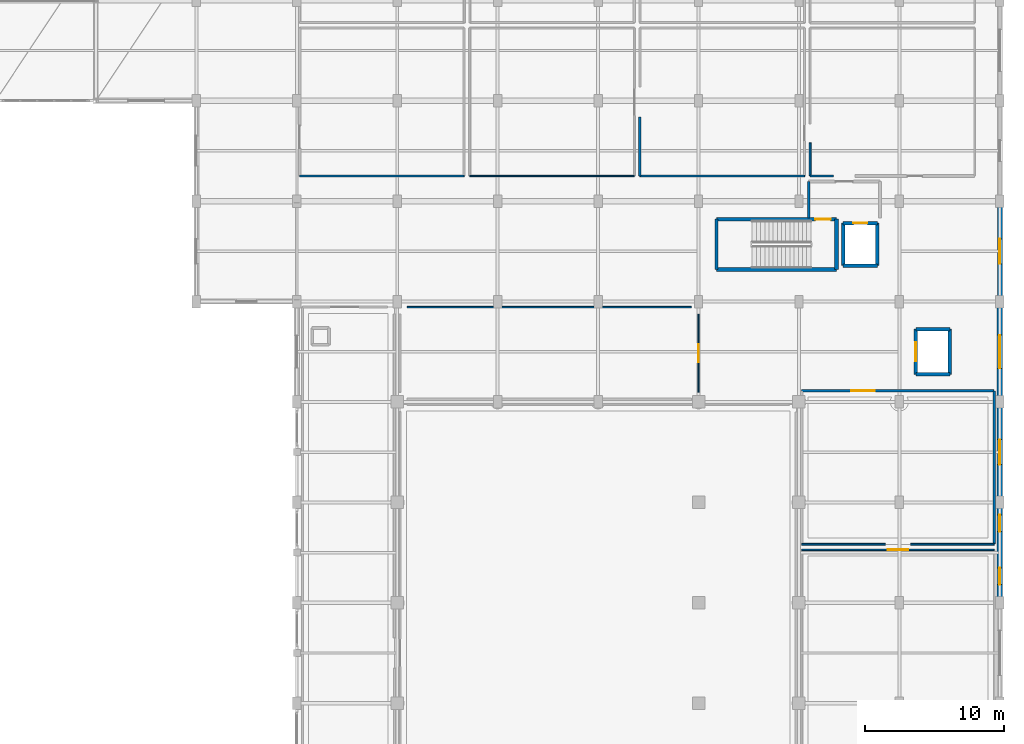
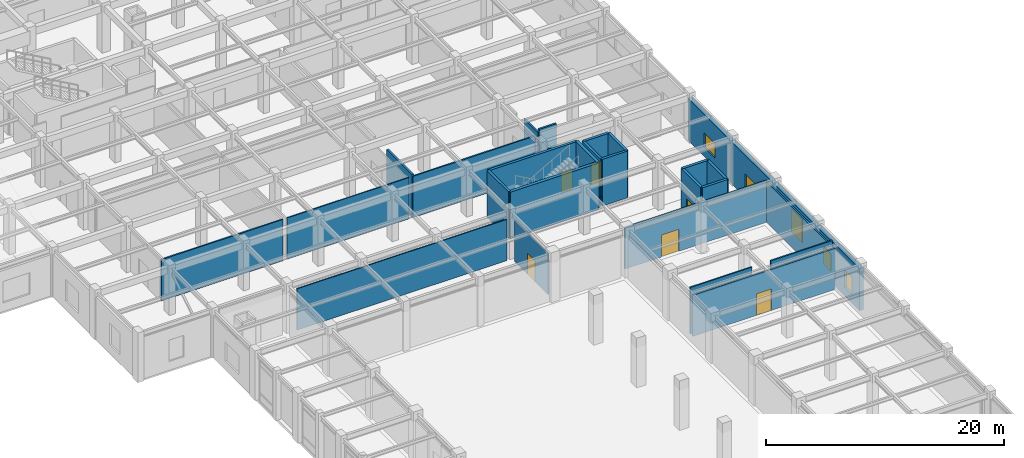
# One storey, part 94 of 117: 30 walls, 6 doors, 5 windows, 11 openings.
"""IFC4 building model written with IfcOpenShell, lengths in metres."""

from ifc_helpers import new_model, si_unit, direction, frame, frame_2d, origin, place, context, subcontext, project, spatial, rectangle, extrude, material, layer, layer_set, type_object, element, fill, save


model = new_model("IFC4")

# Units and contexts
model_context = context("Model", 3, precision=1e-05, world=origin(), true_north=direction((0.0, 1.0)))
body_context = subcontext(model_context, "Body", "Model", "MODEL_VIEW")
ifc_project = project(units=[si_unit("LENGTHUNIT", "METRE"), si_unit("AREAUNIT", "SQUARE_METRE"), si_unit("VOLUMEUNIT", "CUBIC_METRE"), si_unit("PLANEANGLEUNIT", "RADIAN"), si_unit("MASSUNIT", "GRAM", prefix="KILO")], contexts=[model_context])

# Site, building, storey
site_placement = place(None, origin())
site = spatial("IfcSite", under=ifc_project, at=site_placement, CompositionType="ELEMENT")
building_placement = place(site_placement, origin())
building = spatial("IfcBuilding", under=site, at=building_placement, Name="Carrowvane Square Congress Hotel", CompositionType="ELEMENT")
storey_placement = place(building_placement, frame((0.0, 0.0, 5.39990234375)))
storey = spatial("IfcBuildingStorey", under=building, at=storey_placement, Name="L01", CompositionType="ELEMENT", Elevation=5.39990234375)

# Wall, opening, window
ifc_material_1 = material(Name="Portland limestone cladding", Category="masonry")
ifc_layer_1 = layer(ifc_material_1, 0.3798828125)
ifc_layer_set_1 = layer_set([ifc_layer_1], Name="Portland limestone cladding")
wall_type_1 = type_object("IfcWallType", Name="WL-EXT-LS380", PredefinedType="STANDARD", material=ifc_layer_set_1)
wall_1_placement = place(storey_placement, frame((184.39990234375, 55.800048828125, 0.0), z_axis=(0.0, 0.0, 1.0), x_axis=(0.0, -1.0, 0.0)))
wall_1 = element("IfcWall", 1, at=wall_1_placement, inside=storey, type_object=wall_type_1, Name="L01 exterior facade wall 231", PredefinedType="STANDARD", context=body_context, shape_type="SweptSolid", body=[
    extrude(rectangle(XDim=7.199951171875, YDim=0.3798828125, at=frame_2d((3.60009765625, 0.0))), origin(), (0.0, 0.0, 1.0), 4.30517578125),
])
opening_1_placement = place(wall_1_placement, frame((2.39990234375, 0.0, 0.89990234375)))
opening_1 = element("IfcOpeningElement", 2, at=opening_1_placement, cuts=wall_1, Name="Opening W-17", PredefinedType="OPENING", context=body_context, shape_type="SweptSolid", body=[
    extrude(rectangle(XDim=2.39990234375, YDim=1.5, at=frame_2d((1.199951171875, 0.75))), frame((0.0, 0.199951171875, 0.0), z_axis=(0.0, -1.0, 0.0), x_axis=(1.0, 0.0, 0.0)), (0.0, 0.0, 1.0), 0.39990234375),
])
ifc_material_2 = material(Name="Double-glazed low-E glass", Category="glass")
window_type_1 = type_object("IfcWindowType", Name="WIN-17", PartitioningType="SINGLE_PANEL", PredefinedType="WINDOW", material=ifc_material_2)
window_1_placement = place(opening_1_placement, origin())
window_1 = element("IfcWindow", 3, at=window_1_placement, inside=storey, type_object=window_type_1, Name="L01 facade window 54", OverallHeight=1.5, OverallWidth=2.39990234375, PartitioningType="SINGLE_PANEL", PredefinedType="WINDOW", context=body_context, shape_type="SweptSolid", body=[
    extrude(rectangle(XDim=2.39990234375, YDim=1.5, at=frame_2d((1.199951171875, 0.75))), frame((0.0, 0.030029296875, 0.0), z_axis=(0.0, -1.0, 0.0), x_axis=(1.0, 0.0, 0.0)), (0.0, 0.0, 1.0), 0.06005859375),
])
fill(opening_1, window_1)

wall_2_placement = place(storey_placement, frame((184.39990234375, 48.60009765625, 0.0), z_axis=(0.0, 0.0, 1.0), x_axis=(0.0, -1.0, 0.0)))
wall_2 = element("IfcWall", 4, at=wall_2_placement, inside=storey, type_object=wall_type_1, Name="L01 exterior facade wall 232", PredefinedType="STANDARD", context=body_context, shape_type="SweptSolid", body=[
    extrude(rectangle(XDim=7.2001953125, YDim=0.3798828125, at=frame_2d((3.60009765625, 0.0))), origin(), (0.0, 0.0, 1.0), 4.30517578125),
])
opening_2_placement = place(wall_2_placement, frame((2.699951171875, 0.0, 0.89990234375)))
opening_2 = element("IfcOpeningElement", 5, at=opening_2_placement, cuts=wall_2, Name="Opening W-18", PredefinedType="OPENING", context=body_context, shape_type="SweptSolid", body=[
    extrude(rectangle(XDim=1.800048828125, YDim=2.39990234375, at=frame_2d((0.89990234375, 1.199951171875))), frame((0.0, 0.199951171875, 0.0), z_axis=(0.0, -1.0, 0.0), x_axis=(1.0, 0.0, 0.0)), (0.0, 0.0, 1.0), 0.39990234375),
])
ifc_material_3 = material(Name="Double-glazed low-E glass", Category="glass")
window_type_2 = type_object("IfcWindowType", Name="WIN-18", PartitioningType="SINGLE_PANEL", PredefinedType="WINDOW", material=ifc_material_3)
window_2_placement = place(opening_2_placement, origin())
window_2 = element("IfcWindow", 6, at=window_2_placement, inside=storey, type_object=window_type_2, Name="L01 facade window 55", OverallHeight=2.39990234375, OverallWidth=1.800048828125, PartitioningType="SINGLE_PANEL", PredefinedType="WINDOW", context=body_context, shape_type="SweptSolid", body=[
    extrude(rectangle(XDim=1.800048828125, YDim=2.39990234375, at=frame_2d((0.89990234375, 1.199951171875))), frame((0.0, 0.030029296875, 0.0), z_axis=(0.0, -1.0, 0.0), x_axis=(1.0, 0.0, 0.0)), (0.0, 0.0, 1.0), 0.06005859375),
])
fill(opening_2, window_2)

# Wall, openings, windows
wall_3_placement = place(storey_placement, frame((184.39990234375, 41.39990234375, 0.0), z_axis=(0.0, 0.0, 1.0), x_axis=(0.0, -1.0, 0.0)))
wall_3 = element("IfcWall", 7, at=wall_3_placement, inside=storey, type_object=wall_type_1, Name="L01 exterior facade wall 233", PredefinedType="STANDARD", context=body_context, shape_type="SweptSolid", body=[
    extrude(rectangle(XDim=7.199951171875, YDim=0.3798828125, at=frame_2d((3.60009765625, 0.0))), origin(), (0.0, 0.0, 1.0), 4.30517578125),
])
opening_3_placement = place(wall_3_placement, frame((0.89990234375, 0.0, 0.89990234375)))
opening_3 = element("IfcOpeningElement", 8, at=opening_3_placement, cuts=wall_3, Name="Opening W-01", PredefinedType="OPENING", context=body_context, shape_type="SweptSolid", body=[
    extrude(rectangle(XDim=1.199951171875, YDim=1.800048828125, at=frame_2d((0.60009765625, 0.89990234375))), frame((0.0, 0.199951171875, 0.0), z_axis=(0.0, -1.0, 0.0), x_axis=(1.0, 0.0, 0.0)), (0.0, 0.0, 1.0), 0.39990234375),
])
opening_4_placement = place(wall_3_placement, frame((4.699951171875, 0.0, 0.89990234375)))
opening_4 = element("IfcOpeningElement", 9, at=opening_4_placement, cuts=wall_3, Name="Opening W-01", PredefinedType="OPENING", context=body_context, shape_type="SweptSolid", body=[
    extrude(rectangle(XDim=1.199951171875, YDim=1.800048828125, at=frame_2d((0.60009765625, 0.89990234375))), frame((0.0, 0.199951171875, 0.0), z_axis=(0.0, -1.0, 0.0), x_axis=(1.0, 0.0, 0.0)), (0.0, 0.0, 1.0), 0.39990234375),
])
ifc_material_4 = material(Name="Double-glazed low-E glass", Category="glass")
window_type_3 = type_object("IfcWindowType", Name="WIN-01", PartitioningType="SINGLE_PANEL", PredefinedType="WINDOW", material=ifc_material_4)
window_3_placement = place(opening_3_placement, origin())
window_3 = element("IfcWindow", 10, at=window_3_placement, inside=storey, type_object=window_type_3, Name="L01 facade window 56", OverallHeight=1.800048828125, OverallWidth=1.199951171875, PartitioningType="SINGLE_PANEL", PredefinedType="WINDOW", context=body_context, shape_type="SweptSolid", body=[
    extrude(rectangle(XDim=1.199951171875, YDim=1.800048828125, at=frame_2d((0.60009765625, 0.89990234375))), frame((0.0, 0.030029296875, 0.0), z_axis=(0.0, -1.0, 0.0), x_axis=(1.0, 0.0, 0.0)), (0.0, 0.0, 1.0), 0.06005859375),
])
fill(opening_3, window_3)
window_4_placement = place(opening_4_placement, origin())
window_4 = element("IfcWindow", 11, at=window_4_placement, inside=storey, type_object=window_type_3, Name="L01 split-bay facade window WIN-L01-0056-2", OverallHeight=1.800048828125, OverallWidth=1.199951171875, PartitioningType="SINGLE_PANEL", PredefinedType="WINDOW", context=body_context, shape_type="SweptSolid", body=[
    extrude(rectangle(XDim=1.199951171875, YDim=1.800048828125, at=frame_2d((0.60009765625, 0.89990234375))), frame((0.0, 0.030029296875, 0.0), z_axis=(0.0, -1.0, 0.0), x_axis=(1.0, 0.0, 0.0)), (0.0, 0.0, 1.0), 0.06005859375),
])
fill(opening_4, window_4)

# Wall, opening, window
ifc_material_5 = material(Name="Glazed terracotta rainscreen", Category="masonry")
ifc_layer_2 = layer(ifc_material_5, 0.360107421875)
ifc_layer_set_2 = layer_set([ifc_layer_2], Name="Glazed terracotta rainscreen")
wall_type_2 = type_object("IfcWallType", Name="WL-EXT-TC360", PredefinedType="STANDARD", material=ifc_layer_set_2)
wall_4_placement = place(storey_placement, frame((184.39990234375, 63.0, 0.0), z_axis=(0.0, 0.0, 1.0), x_axis=(0.0, -1.0, 0.0)))
wall_4 = element("IfcWall", 12, at=wall_4_placement, inside=storey, type_object=wall_type_2, Name="L01 exterior facade wall 230", PredefinedType="STANDARD", context=body_context, shape_type="SweptSolid", body=[
    extrude(rectangle(XDim=7.199951171875, YDim=0.360107421875, at=frame_2d((3.60009765625, 0.0))), origin(), (0.0, 0.0, 1.0), 4.30517578125),
])
opening_5_placement = place(wall_4_placement, frame((2.699951171875, 0.0, 0.89990234375)))
opening_5 = element("IfcOpeningElement", 13, at=opening_5_placement, cuts=wall_4, Name="Opening W-16", PredefinedType="OPENING", context=body_context, shape_type="SweptSolid", body=[
    extrude(rectangle(XDim=1.800048828125, YDim=1.5, at=frame_2d((0.89990234375, 0.75))), frame((0.0, 0.18994140625, 0.0), z_axis=(0.0, -1.0, 0.0), x_axis=(1.0, 0.0, 0.0)), (0.0, 0.0, 1.0), 0.380126953125),
])
ifc_material_6 = material(Name="Double-glazed low-E glass", Category="glass")
window_type_4 = type_object("IfcWindowType", Name="WIN-16", PartitioningType="SINGLE_PANEL", PredefinedType="WINDOW", material=ifc_material_6)
window_5_placement = place(opening_5_placement, origin())
window_5 = element("IfcWindow", 14, at=window_5_placement, inside=storey, type_object=window_type_4, Name="L01 facade window 53", OverallHeight=1.5, OverallWidth=1.800048828125, PartitioningType="SINGLE_PANEL", PredefinedType="WINDOW", context=body_context, shape_type="SweptSolid", body=[
    extrude(rectangle(XDim=1.800048828125, YDim=1.5, at=frame_2d((0.89990234375, 0.75))), frame((0.0, 0.030029296875, 0.0), z_axis=(0.0, -1.0, 0.0), x_axis=(1.0, 0.0, 0.0)), (0.0, 0.0, 1.0), 0.06005859375),
])
fill(opening_5, window_5)

# Wall, opening, door
ifc_material_7 = material(Name="Acoustic gypsum board", Category="gypsum")
ifc_layer_3 = layer(ifc_material_7, 0.155029296875)
ifc_layer_set_3 = layer_set([ifc_layer_3], Name="Acoustic gypsum board")
wall_type_3 = type_object("IfcWallType", Name="WL-FIR-155", PredefinedType="PARTITIONING", material=ifc_layer_set_3)
wall_5_placement = place(storey_placement, frame((170.199951171875, 49.39990234375, 0.0), z_axis=(0.0, 0.0, 1.0), x_axis=(1.0, 0.0, 0.0)))
wall_5 = element("IfcWall", 15, at=wall_5_placement, inside=storey, type_object=wall_type_3, Name="L01 VIP Speaker Preparation Lounge partition", PredefinedType="PARTITIONING", context=body_context, shape_type="SweptSolid", body=[
    extrude(rectangle(XDim=13.800048828125, YDim=0.155029296875, at=frame_2d((6.89990234375, 0.0))), origin(), (0.0, 0.0, 1.0), 4.228515625),
])
opening_6_placement = place(wall_5_placement, frame((3.550048828125, 0.0, 0.0)))
opening_6 = element("IfcOpeningElement", 16, at=opening_6_placement, cuts=wall_5, Name="Opening FD-12", PredefinedType="OPENING", context=body_context, shape_type="SweptSolid", body=[
    extrude(rectangle(XDim=1.699951171875, YDim=2.25, at=frame_2d((0.85009765625, 1.125))), frame((0.0, 0.08740234375, 0.0), z_axis=(0.0, -1.0, 0.0), x_axis=(1.0, 0.0, 0.0)), (0.0, 0.0, 1.0), 0.175048828125),
])
ifc_material_8 = material(Name="European oak timber", Category="wood")
door_type_1 = type_object("IfcDoorType", Name="DR-FD30-1700x2250", OperationType="DOUBLE_DOOR_SINGLE_SWING", PredefinedType="DOOR", material=ifc_material_8)
door_1_placement = place(opening_6_placement, origin())
door_1 = element("IfcDoor", 17, at=door_1_placement, inside=storey, type_object=door_type_1, Name="L01 VIP Speaker Preparation Lounge entrance door", OperationType="DOUBLE_DOOR_SINGLE_SWING", OverallHeight=2.25, OverallWidth=1.699951171875, PredefinedType="DOOR", context=body_context, shape_type="SweptSolid", body=[
    extrude(rectangle(XDim=1.699951171875, YDim=2.25, at=frame_2d((0.85009765625, 1.125))), frame((0.0, 0.02490234375, 0.0), z_axis=(0.0, -1.0, 0.0), x_axis=(1.0, 0.0, 0.0)), (0.0, 0.0, 1.0), 0.050048828125),
])
fill(opening_6, door_1)

# Walls
ifc_material_9 = material(Name="Acoustic gypsum board", Category="gypsum")
ifc_layer_4 = layer(ifc_material_9, 0.169921875)
ifc_layer_set_4 = layer_set([ifc_layer_4], Name="Acoustic gypsum board")
wall_type_4 = type_object("IfcWallType", Name="WL-FIR-170", PredefinedType="PARTITIONING", material=ifc_layer_set_4)
wall_6_placement = place(storey_placement, frame((172.469970703125, 64.800048828125, 0.0), z_axis=(0.0, 0.0, 1.0), x_axis=(-1.0, 0.0, 0.0)))
element("IfcWall", 18, at=wall_6_placement, inside=storey, type_object=wall_type_4, Name="L01 Executive Boardroom 104 partition", PredefinedType="PARTITIONING", context=body_context, shape_type="SweptSolid", body=[
    extrude(rectangle(XDim=1.669921875, YDim=0.169921875, at=frame_2d((0.8349609375, 0.0))), origin(), (0.0, 0.0, 1.0), 4.780029296875),
])
ifc_material_10 = material(Name="Acoustic gypsum board", Category="gypsum")
ifc_layer_5 = layer(ifc_material_10, 0.18505859375)
ifc_layer_set_5 = layer_set([ifc_layer_5], Name="Acoustic gypsum board")
wall_type_5 = type_object("IfcWallType", Name="WL-FIR-185", PredefinedType="PARTITIONING", material=ifc_layer_set_5)
wall_7_placement = place(storey_placement, frame((158.60009765625, 64.800048828125, 0.0), z_axis=(0.0, 0.0, 1.0), x_axis=(0.0, 1.0, 0.0)))
element("IfcWall", 19, at=wall_7_placement, inside=storey, type_object=wall_type_5, Name="L01 Executive Boardroom 103 partition", PredefinedType="PARTITIONING", context=body_context, shape_type="SweptSolid", body=[
    extrude(rectangle(XDim=4.219970703125, YDim=0.18505859375, at=frame_2d((2.10986328125, 0.0))), origin(), (0.0, 0.0, 1.0), 4.406982421875),
])
ifc_material_11 = material(Name="Acoustic gypsum board", Category="gypsum")
ifc_layer_6 = layer(ifc_material_11, 0.205078125)
ifc_layer_set_6 = layer_set([ifc_layer_6], Name="Acoustic gypsum board")
wall_type_6 = type_object("IfcWallType", Name="WL-FIR-205", PredefinedType="PARTITIONING", material=ifc_layer_set_6)
wall_8_placement = place(storey_placement, frame((170.699951171875, 64.39990234375, 0.0), z_axis=(0.0, 0.0, 1.0), x_axis=(0.0, -1.0, 0.0)))
element("IfcWall", 20, at=wall_8_placement, inside=storey, type_object=wall_type_6, Name="L01 Firefighting Lobby C4 wall west", PredefinedType="PARTITIONING", context=body_context, shape_type="SweptSolid", body=[
    extrude(rectangle(XDim=2.599853515625, YDim=0.205078125, at=frame_2d((1.2998046875, 0.0))), origin(), (0.0, 0.0, 1.0), 4.114990234375),
])

# Wall, opening, door
ifc_material_12 = material(Name="Acoustic gypsum board", Category="gypsum")
ifc_layer_7 = layer(ifc_material_12, 0.097900390625)
ifc_layer_set_7 = layer_set([ifc_layer_7], Name="Acoustic gypsum board")
wall_type_7 = type_object("IfcWallType", Name="WL-PRT-098", PredefinedType="PARTITIONING", material=ifc_layer_set_7)
wall_9_placement = place(storey_placement, frame((162.800048828125, 54.889892578125, 0.0), z_axis=(0.0, 0.0, 1.0), x_axis=(0.0, -1.0, 0.0)))
wall_9 = element("IfcWall", 21, at=wall_9_placement, inside=storey, type_object=wall_type_7, Name="L01 Ballroom Public and Accessible Toilets partition", PredefinedType="PARTITIONING", context=body_context, shape_type="SweptSolid", body=[
    extrude(rectangle(XDim=5.579833984375, YDim=0.097900390625, at=frame_2d((2.7900390625, 0.0))), origin(), (0.0, 0.0, 1.0), 4.228515625),
])
opening_7_placement = place(wall_9_placement, frame((2.139892578125, 0.0, 0.0)))
opening_7 = element("IfcOpeningElement", 22, at=opening_7_placement, cuts=wall_9, Name="Opening FD-03", PredefinedType="OPENING", context=body_context, shape_type="SweptSolid", body=[
    extrude(rectangle(XDim=1.300048828125, YDim=2.14990234375, at=frame_2d((0.64990234375, 1.074951171875))), frame((0.0, 0.058837890625, 0.0), z_axis=(0.0, -1.0, 0.0), x_axis=(1.0, 0.0, 0.0)), (0.0, 0.0, 1.0), 0.117919921875),
])
ifc_material_13 = material(Name="European oak timber", Category="wood")
door_type_2 = type_object("IfcDoorType", Name="DR-FD60-1300x2150", OperationType="NOTDEFINED", PredefinedType="DOOR", material=ifc_material_13)
door_2_placement = place(opening_7_placement, origin())
door_2 = element("IfcDoor", 23, at=door_2_placement, inside=storey, type_object=door_type_2, Name="L01 Ballroom Public and Accessible Toilets entrance door", OperationType="SINGLE_SWING_RIGHT", OverallHeight=2.14990234375, OverallWidth=1.300048828125, PredefinedType="DOOR", context=body_context, shape_type="SweptSolid", body=[
    extrude(rectangle(XDim=1.300048828125, YDim=2.14990234375, at=frame_2d((0.64990234375, 1.074951171875))), frame((0.0, 0.02490234375, 0.0), z_axis=(0.0, -1.0, 0.0), x_axis=(1.0, 0.0, 0.0)), (0.0, 0.0, 1.0), 0.050048828125),
])
fill(opening_7, door_2)

# Wall
wall_10_placement = place(storey_placement, frame((158.199951171875, 64.800048828125, 0.0), z_axis=(0.0, 0.0, 1.0), x_axis=(-1.0, 0.0, 0.0)))
element("IfcWall", 24, at=wall_10_placement, inside=storey, type_object=wall_type_7, Name="L01 Executive Boardroom 102 partition", PredefinedType="PARTITIONING", context=body_context, shape_type="SweptSolid", body=[
    extrude(rectangle(XDim=11.800048828125, YDim=0.097900390625, at=frame_2d((5.89990234375, 0.0))), origin(), (0.0, 0.0, 1.0), 4.228515625),
])

# Wall, opening, door
ifc_material_14 = material(Name="Acoustic gypsum board", Category="gypsum")
ifc_layer_8 = layer(ifc_material_14, 0.10791015625)
ifc_layer_set_8 = layer_set([ifc_layer_8], Name="Acoustic gypsum board")
wall_type_8 = type_object("IfcWallType", Name="WL-PRT-108", PredefinedType="PARTITIONING", material=ifc_layer_set_8)
wall_11_placement = place(storey_placement, frame((170.199951171875, 38.0, 0.0), z_axis=(0.0, 0.0, 1.0), x_axis=(1.0, 0.0, 0.0)))
wall_11 = element("IfcWall", 25, at=wall_11_placement, inside=storey, type_object=wall_type_8, Name="L01 Banqueting Finishing Kitchen Pantry partition", PredefinedType="PARTITIONING", context=body_context, shape_type="SweptSolid", body=[
    extrude(rectangle(XDim=13.800048828125, YDim=0.10791015625, at=frame_2d((6.89990234375, 0.0))), origin(), (0.0, 0.0, 1.0), 4.228515625),
])
opening_8_placement = place(wall_11_placement, frame((6.175048828125, 0.0, 0.0)))
opening_8 = element("IfcOpeningElement", 26, at=opening_8_placement, cuts=wall_11, Name="Opening FD-11", PredefinedType="OPENING", context=body_context, shape_type="SweptSolid", body=[
    extrude(rectangle(XDim=1.449951171875, YDim=2.199951171875, at=frame_2d((0.72509765625, 1.10009765625))), frame((0.0, 0.06396484375, 0.0), z_axis=(0.0, -1.0, 0.0), x_axis=(1.0, 0.0, 0.0)), (0.0, 0.0, 1.0), 0.1279296875),
])
ifc_material_15 = material(Name="European oak timber", Category="wood")
door_type_3 = type_object("IfcDoorType", Name="DR-FD30-1450x2200", OperationType="DOUBLE_DOOR_SINGLE_SWING", PredefinedType="DOOR", material=ifc_material_15)
door_3_placement = place(opening_8_placement, origin())
door_3 = element("IfcDoor", 27, at=door_3_placement, inside=storey, type_object=door_type_3, Name="L01 Banqueting Finishing Kitchen Pantry entrance door", OperationType="DOUBLE_DOOR_SINGLE_SWING", OverallHeight=2.199951171875, OverallWidth=1.449951171875, PredefinedType="DOOR", context=body_context, shape_type="SweptSolid", body=[
    extrude(rectangle(XDim=1.449951171875, YDim=2.199951171875, at=frame_2d((0.72509765625, 1.10009765625))), frame((0.0, 0.02490234375, 0.0), z_axis=(0.0, -1.0, 0.0), x_axis=(1.0, 0.0, 0.0)), (0.0, 0.0, 1.0), 0.050048828125),
])
fill(opening_8, door_3)

# Walls
wall_12_placement = place(storey_placement, frame((141.909912109375, 55.39990234375, 0.0), z_axis=(0.0, 0.0, 1.0), x_axis=(1.0, 0.0, 0.0)))
element("IfcWall", 28, at=wall_12_placement, inside=storey, type_object=wall_type_8, Name="L01 Ballroom Public and Accessible Toilets partition", PredefinedType="PARTITIONING", context=body_context, shape_type="SweptSolid", body=[
    extrude(rectangle(XDim=20.380126953125, YDim=0.10791015625, at=frame_2d((10.18994140625, 0.0))), origin(), (0.0, 0.0, 1.0), 4.228515625),
])
ifc_material_16 = material(Name="Acoustic gypsum board", Category="gypsum")
ifc_layer_9 = layer(ifc_material_16, 0.1279296875)
ifc_layer_set_9 = layer_set([ifc_layer_9], Name="Acoustic gypsum board")
wall_type_9 = type_object("IfcWallType", Name="WL-PRT-128", PredefinedType="PARTITIONING", material=ifc_layer_set_9)
wall_13_placement = place(storey_placement, frame((176.195068359375, 38.39990234375, 0.0), z_axis=(0.0, 0.0, 1.0), x_axis=(-1.0, 0.0, 0.0)))
element("IfcWall", 29, at=wall_13_placement, inside=storey, type_object=wall_type_9, Name="L01 VIP Speaker Preparation Lounge partition", PredefinedType="PARTITIONING", context=body_context, shape_type="SweptSolid", body=[
    extrude(rectangle(XDim=5.9951171875, YDim=0.1279296875, at=frame_2d((2.99755859375, 0.0))), origin(), (0.0, 0.0, 1.0), 4.780029296875),
])
wall_14_placement = place(storey_placement, frame((170.800048828125, 64.800048828125, 0.0), z_axis=(0.0, 0.0, 1.0), x_axis=(0.0, 1.0, 0.0)))
element("IfcWall", 30, at=wall_14_placement, inside=storey, type_object=wall_type_9, Name="L01 Executive Boardroom 104 partition", PredefinedType="PARTITIONING", context=body_context, shape_type="SweptSolid", body=[
    extrude(rectangle(XDim=2.369873046875, YDim=0.1279296875, at=frame_2d((1.18505859375, 0.0))), origin(), (0.0, 0.0, 1.0), 4.406982421875),
])
ifc_material_17 = material(Name="Acoustic gypsum board", Category="gypsum")
ifc_layer_10 = layer(ifc_material_17, 0.137939453125)
ifc_layer_set_10 = layer_set([ifc_layer_10], Name="Acoustic gypsum board")
wall_type_10 = type_object("IfcWallType", Name="WL-PRT-138", PredefinedType="PARTITIONING", material=ifc_layer_set_10)
wall_15_placement = place(storey_placement, frame((184.0, 38.39990234375, 0.0), z_axis=(0.0, 0.0, 1.0), x_axis=(-1.0, 0.0, 0.0)))
element("IfcWall", 31, at=wall_15_placement, inside=storey, type_object=wall_type_10, Name="L01 VIP Speaker Preparation Lounge partition", PredefinedType="PARTITIONING", context=body_context, shape_type="SweptSolid", body=[
    extrude(rectangle(XDim=5.9951171875, YDim=0.137939453125, at=frame_2d((2.99755859375, 0.0))), origin(), (0.0, 0.0, 1.0), 4.780029296875),
])
wall_16_placement = place(storey_placement, frame((146.0, 64.800048828125, 0.0), z_axis=(0.0, 0.0, 1.0), x_axis=(-1.0, 0.0, 0.0)))
element("IfcWall", 32, at=wall_16_placement, inside=storey, type_object=wall_type_10, Name="L01 Executive Boardroom 101 partition", PredefinedType="PARTITIONING", context=body_context, shape_type="SweptSolid", body=[
    extrude(rectangle(XDim=11.800048828125, YDim=0.137939453125, at=frame_2d((5.89990234375, 0.0))), origin(), (0.0, 0.0, 1.0), 4.228515625),
])
wall_17_placement = place(storey_placement, frame((170.39990234375, 64.800048828125, 0.0), z_axis=(0.0, 0.0, 1.0), x_axis=(-1.0, 0.0, 0.0)))
element("IfcWall", 33, at=wall_17_placement, inside=storey, type_object=wall_type_10, Name="L01 Executive Boardroom 103 partition", PredefinedType="PARTITIONING", context=body_context, shape_type="SweptSolid", body=[
    extrude(rectangle(XDim=11.7998046875, YDim=0.137939453125, at=frame_2d((5.89990234375, 0.0))), origin(), (0.0, 0.0, 1.0), 4.228515625),
])
ifc_material_18 = material(Name="Acoustic gypsum board", Category="gypsum")
ifc_layer_11 = layer(ifc_material_18, 0.14794921875)
ifc_layer_set_11 = layer_set([ifc_layer_11], Name="Acoustic gypsum board")
wall_type_11 = type_object("IfcWallType", Name="WL-PRT-148", PredefinedType="PARTITIONING", material=ifc_layer_set_11)
wall_18_placement = place(storey_placement, frame((184.0, 49.39990234375, 0.0), z_axis=(0.0, 0.0, 1.0), x_axis=(0.0, -1.0, 0.0)))
element("IfcWall", 34, at=wall_18_placement, inside=storey, type_object=wall_type_11, Name="L01 VIP Speaker Preparation Lounge partition", PredefinedType="PARTITIONING", context=body_context, shape_type="SweptSolid", body=[
    extrude(rectangle(XDim=11.0, YDim=0.14794921875, at=frame_2d((5.5, 0.0))), origin(), (0.0, 0.0, 1.0), 4.15283203125),
])
ifc_material_19 = material(Name="Concrete C40/50", Category="concrete")
ifc_layer_12 = layer(ifc_material_19, 0.22509765625)
ifc_layer_set_12 = layer_set([ifc_layer_12], Name="Concrete C40/50")
wall_type_12 = type_object("IfcWallType", Name="WL-SHR-225", PredefinedType="SHEAR", material=ifc_layer_set_12)
wall_19_placement = place(storey_placement, frame((164.10009765625, 61.699951171875, 0.0), z_axis=(0.0, 0.0, 1.0), x_axis=(0.0, -1.0, 0.0)))
element("IfcWall", 35, at=wall_19_placement, inside=storey, type_object=wall_type_12, Name="L01 ST4 core wall west", PredefinedType="SHEAR", context=body_context, shape_type="SweptSolid", body=[
    extrude(rectangle(XDim=3.599853515625, YDim=0.22509765625, at=frame_2d((1.7998046875, 0.0))), origin(), (0.0, 0.0, 1.0), 4.780029296875),
])

# Wall, opening, door
ifc_material_20 = material(Name="Concrete C40/50", Category="concrete")
ifc_layer_13 = layer(ifc_material_20, 0.25)
ifc_layer_set_13 = layer_set([ifc_layer_13], Name="Concrete C40/50")
wall_type_13 = type_object("IfcWallType", Name="WL-SHR-250", PredefinedType="SHEAR", material=ifc_layer_set_13)
wall_20_placement = place(storey_placement, frame((172.699951171875, 61.699951171875, 0.0), z_axis=(0.0, 0.0, 1.0), x_axis=(-1.0, 0.0, 0.0)))
wall_20 = element("IfcWall", 36, at=wall_20_placement, inside=storey, type_object=wall_type_13, Name="L01 ST4 core wall north", PredefinedType="SHEAR", context=body_context, shape_type="SweptSolid", body=[
    extrude(rectangle(XDim=8.599853515625, YDim=0.25, at=frame_2d((4.2998046875, 0.0))), origin(), (0.0, 0.0, 1.0), 4.780029296875),
])
opening_9_placement = place(wall_20_placement, frame((0.425048828125, 0.0, 0.0)))
opening_9 = element("IfcOpeningElement", 37, at=opening_9_placement, cuts=wall_20, Name="Opening FD-01", PredefinedType="OPENING", context=body_context, shape_type="SweptSolid", body=[
    extrude(rectangle(XDim=1.10009765625, YDim=2.10009765625, at=frame_2d((0.550048828125, 1.050048828125))), frame((0.0, 0.135009765625, 0.0), z_axis=(0.0, -1.0, 0.0), x_axis=(1.0, 0.0, 0.0)), (0.0, 0.0, 1.0), 0.27001953125),
])
ifc_material_21 = material(Name="European oak timber", Category="wood")
door_type_4 = type_object("IfcDoorType", Name="DR-FD60-1100x2100", OperationType="NOTDEFINED", PredefinedType="DOOR", material=ifc_material_21)
door_4_placement = place(opening_9_placement, origin())
door_4 = element("IfcDoor", 38, at=door_4_placement, inside=storey, type_object=door_type_4, Name="L01 ST4 fire door", OperationType="SINGLE_SWING_RIGHT", OverallHeight=2.10009765625, OverallWidth=1.10009765625, PredefinedType="DOOR", context=body_context, shape_type="SweptSolid", body=[
    extrude(rectangle(XDim=1.10009765625, YDim=2.10009765625, at=frame_2d((0.550048828125, 1.050048828125))), frame((0.0, 0.02490234375, 0.0), z_axis=(0.0, -1.0, 0.0), x_axis=(1.0, 0.0, 0.0)), (0.0, 0.0, 1.0), 0.050048828125),
])
fill(opening_9, door_4)

# Walls
wall_21_placement = place(storey_placement, frame((173.175048828125, 58.375, 0.0), z_axis=(0.0, 0.0, 1.0), x_axis=(1.0, 0.0, 0.0)))
element("IfcWall", 39, at=wall_21_placement, inside=storey, type_object=wall_type_13, Name="L01 FFL-3 shaft wall south", PredefinedType="SHEAR", context=body_context, shape_type="SweptSolid", body=[
    extrude(rectangle(XDim=2.449951171875, YDim=0.25, at=frame_2d((1.22509765625, 0.0))), origin(), (0.0, 0.0, 1.0), 4.780029296875),
])
wall_22_placement = place(storey_placement, frame((175.625, 58.375, 0.0), z_axis=(0.0, 0.0, 1.0), x_axis=(0.0, 1.0, 0.0)))
element("IfcWall", 40, at=wall_22_placement, inside=storey, type_object=wall_type_13, Name="L01 FFL-3 shaft wall east", PredefinedType="SHEAR", context=body_context, shape_type="SweptSolid", body=[
    extrude(rectangle(XDim=3.050048828125, YDim=0.25, at=frame_2d((1.52490234375, 0.0))), origin(), (0.0, 0.0, 1.0), 4.780029296875),
])

# Wall, opening, door
wall_23_placement = place(storey_placement, frame((175.625, 61.425048828125, 0.0), z_axis=(0.0, 0.0, 1.0), x_axis=(-1.0, 0.0, 0.0)))
wall_23 = element("IfcWall", 41, at=wall_23_placement, inside=storey, type_object=wall_type_13, Name="L01 FFL-3 shaft wall north", PredefinedType="SHEAR", context=body_context, shape_type="SweptSolid", body=[
    extrude(rectangle(XDim=2.449951171875, YDim=0.25, at=frame_2d((1.22509765625, 0.0))), origin(), (0.0, 0.0, 1.0), 4.780029296875),
])
opening_10_placement = place(wall_23_placement, frame((0.72509765625, 0.0, 0.0)))
opening_10 = element("IfcOpeningElement", 42, at=opening_10_placement, cuts=wall_23, Name="Opening LD-FFL-3", PredefinedType="OPENING", context=body_context, shape_type="SweptSolid", body=[
    extrude(rectangle(XDim=1.0, YDim=2.14990234375, at=frame_2d((0.5, 1.074951171875))), frame((0.0, 0.135009765625, 0.0), z_axis=(0.0, -1.0, 0.0), x_axis=(1.0, 0.0, 0.0)), (0.0, 0.0, 1.0), 0.27001953125),
])
ifc_material_22 = material(Name="Stainless steel 316", Category="steel")
door_type_5 = type_object("IfcDoorType", Name="DR-LD-1000x2150", OperationType="DOUBLE_DOOR_SLIDING", PredefinedType="DOOR", material=ifc_material_22)
door_5_placement = place(opening_10_placement, origin())
door_5 = element("IfcDoor", 43, at=door_5_placement, inside=storey, type_object=door_type_5, Name="L01 FFL-3 sliding lift landing door", OperationType="DOUBLE_DOOR_SLIDING", OverallHeight=2.14990234375, OverallWidth=1.0, PredefinedType="DOOR", context=body_context, shape_type="SweptSolid", body=[
    extrude(rectangle(XDim=1.0, YDim=2.14990234375, at=frame_2d((0.5, 1.074951171875))), frame((0.0, 0.02490234375, 0.0), z_axis=(0.0, -1.0, 0.0), x_axis=(1.0, 0.0, 0.0)), (0.0, 0.0, 1.0), 0.050048828125),
])
fill(opening_10, door_5)

# Walls
wall_24_placement = place(storey_placement, frame((173.175048828125, 61.425048828125, 0.0), z_axis=(0.0, 0.0, 1.0), x_axis=(0.0, -1.0, 0.0)))
element("IfcWall", 44, at=wall_24_placement, inside=storey, type_object=wall_type_13, Name="L01 FFL-3 shaft wall west", PredefinedType="SHEAR", context=body_context, shape_type="SweptSolid", body=[
    extrude(rectangle(XDim=3.050048828125, YDim=0.25, at=frame_2d((1.52490234375, 0.0))), origin(), (0.0, 0.0, 1.0), 4.780029296875),
])
wall_25_placement = place(storey_placement, frame((178.375, 50.574951171875, 0.0), z_axis=(0.0, 0.0, 1.0), x_axis=(1.0, 0.0, 0.0)))
element("IfcWall", 45, at=wall_25_placement, inside=storey, type_object=wall_type_13, Name="L01 GL-1 shaft wall south", PredefinedType="SHEAR", context=body_context, shape_type="SweptSolid", body=[
    extrude(rectangle(XDim=2.449951171875, YDim=0.25, at=frame_2d((1.22509765625, 0.0))), origin(), (0.0, 0.0, 1.0), 4.780029296875),
])
wall_26_placement = place(storey_placement, frame((180.824951171875, 50.574951171875, 0.0), z_axis=(0.0, 0.0, 1.0), x_axis=(0.0, 1.0, 0.0)))
element("IfcWall", 46, at=wall_26_placement, inside=storey, type_object=wall_type_13, Name="L01 GL-1 shaft wall east", PredefinedType="SHEAR", context=body_context, shape_type="SweptSolid", body=[
    extrude(rectangle(XDim=3.25, YDim=0.25, at=frame_2d((1.625, 0.0))), origin(), (0.0, 0.0, 1.0), 4.780029296875),
])
wall_27_placement = place(storey_placement, frame((180.824951171875, 53.824951171875, 0.0), z_axis=(0.0, 0.0, 1.0), x_axis=(-1.0, 0.0, 0.0)))
element("IfcWall", 47, at=wall_27_placement, inside=storey, type_object=wall_type_13, Name="L01 GL-1 shaft wall north", PredefinedType="SHEAR", context=body_context, shape_type="SweptSolid", body=[
    extrude(rectangle(XDim=2.449951171875, YDim=0.25, at=frame_2d((1.22509765625, 0.0))), origin(), (0.0, 0.0, 1.0), 4.780029296875),
])

# Wall, opening, door
wall_28_placement = place(storey_placement, frame((178.375, 53.824951171875, 0.0), z_axis=(0.0, 0.0, 1.0), x_axis=(0.0, -1.0, 0.0)))
wall_28 = element("IfcWall", 48, at=wall_28_placement, inside=storey, type_object=wall_type_13, Name="L01 GL-1 shaft wall west", PredefinedType="SHEAR", context=body_context, shape_type="SweptSolid", body=[
    extrude(rectangle(XDim=3.25, YDim=0.25, at=frame_2d((1.625, 0.0))), origin(), (0.0, 0.0, 1.0), 4.780029296875),
])
opening_11_placement = place(wall_28_placement, frame((0.949951171875, 0.0, 0.0)))
opening_11 = element("IfcOpeningElement", 49, at=opening_11_placement, cuts=wall_28, Name="Opening LD-GL-1", PredefinedType="OPENING", context=body_context, shape_type="SweptSolid", body=[
    extrude(rectangle(XDim=1.35009765625, YDim=2.199951171875, at=frame_2d((0.675048828125, 1.10009765625))), frame((0.0, 0.135009765625, 0.0), z_axis=(0.0, -1.0, 0.0), x_axis=(1.0, 0.0, 0.0)), (0.0, 0.0, 1.0), 0.27001953125),
])
ifc_material_23 = material(Name="Stainless steel 316", Category="steel")
door_type_6 = type_object("IfcDoorType", Name="DR-LD-1350x2200", OperationType="DOUBLE_DOOR_SLIDING", PredefinedType="DOOR", material=ifc_material_23)
door_6_placement = place(opening_11_placement, origin())
door_6 = element("IfcDoor", 50, at=door_6_placement, inside=storey, type_object=door_type_6, Name="L01 GL-1 sliding lift landing door", OperationType="DOUBLE_DOOR_SLIDING", OverallHeight=2.199951171875, OverallWidth=1.35009765625, PredefinedType="DOOR", context=body_context, shape_type="SweptSolid", body=[
    extrude(rectangle(XDim=1.35009765625, YDim=2.199951171875, at=frame_2d((0.675048828125, 1.10009765625))), frame((0.0, 0.02490234375, 0.0), z_axis=(0.0, -1.0, 0.0), x_axis=(1.0, 0.0, 0.0)), (0.0, 0.0, 1.0), 0.050048828125),
])
fill(opening_11, door_6)

# Walls
ifc_material_24 = material(Name="Concrete C40/50", Category="concrete")
ifc_layer_14 = layer(ifc_material_24, 0.27490234375)
ifc_layer_set_14 = layer_set([ifc_layer_14], Name="Concrete C40/50")
wall_type_14 = type_object("IfcWallType", Name="WL-SHR-275", PredefinedType="SHEAR", material=ifc_layer_set_14)
wall_29_placement = place(storey_placement, frame((172.699951171875, 58.10009765625, 0.0), z_axis=(0.0, 0.0, 1.0), x_axis=(0.0, 1.0, 0.0)))
element("IfcWall", 51, at=wall_29_placement, inside=storey, type_object=wall_type_14, Name="L01 ST4 core wall east", PredefinedType="SHEAR", context=body_context, shape_type="SweptSolid", body=[
    extrude(rectangle(XDim=3.599853515625, YDim=0.27490234375, at=frame_2d((1.7998046875, 0.0))), origin(), (0.0, 0.0, 1.0), 4.780029296875),
])
ifc_material_25 = material(Name="Concrete C40/50", Category="concrete")
ifc_layer_15 = layer(ifc_material_25, 0.300048828125)
ifc_layer_set_15 = layer_set([ifc_layer_15], Name="Concrete C40/50")
wall_type_15 = type_object("IfcWallType", Name="WL-SHR-300", PredefinedType="SHEAR", material=ifc_layer_set_15)
wall_30_placement = place(storey_placement, frame((164.10009765625, 58.10009765625, 0.0), z_axis=(0.0, 0.0, 1.0), x_axis=(1.0, 0.0, 0.0)))
element("IfcWall", 52, at=wall_30_placement, inside=storey, type_object=wall_type_15, Name="L01 ST4 core wall south", PredefinedType="SHEAR", context=body_context, shape_type="SweptSolid", body=[
    extrude(rectangle(XDim=8.599853515625, YDim=0.300048828125, at=frame_2d((4.2998046875, 0.0))), origin(), (0.0, 0.0, 1.0), 4.780029296875),
])

save(model, "model.ifc")
